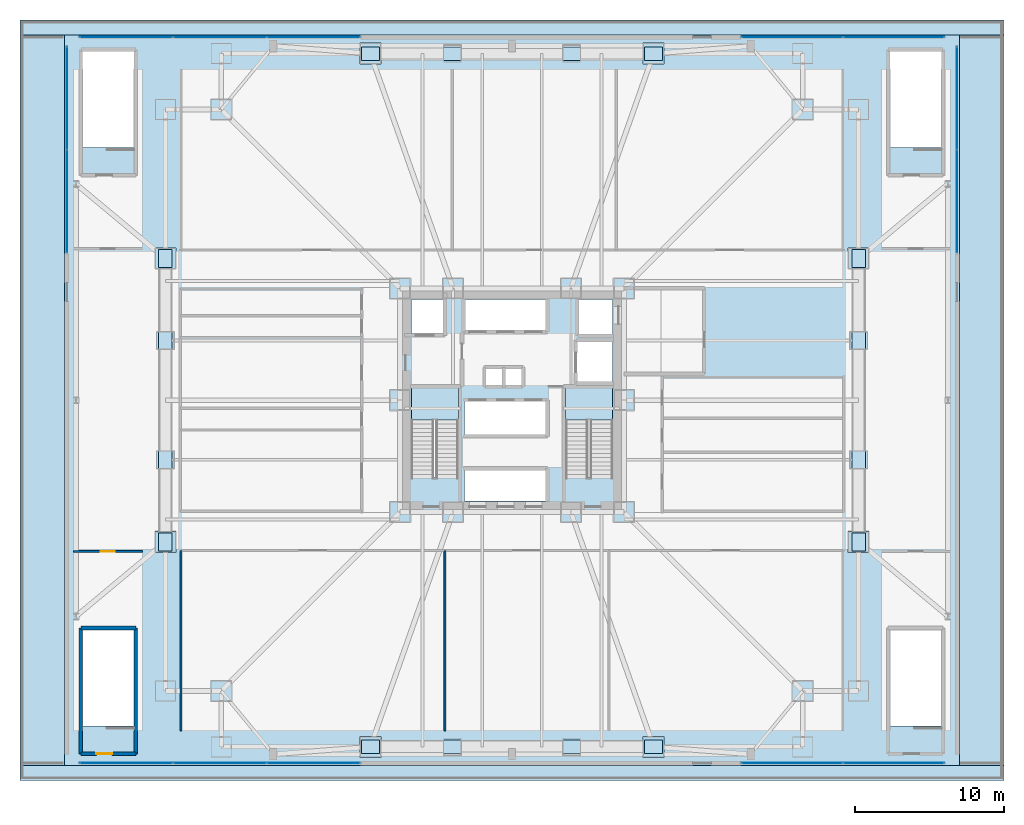
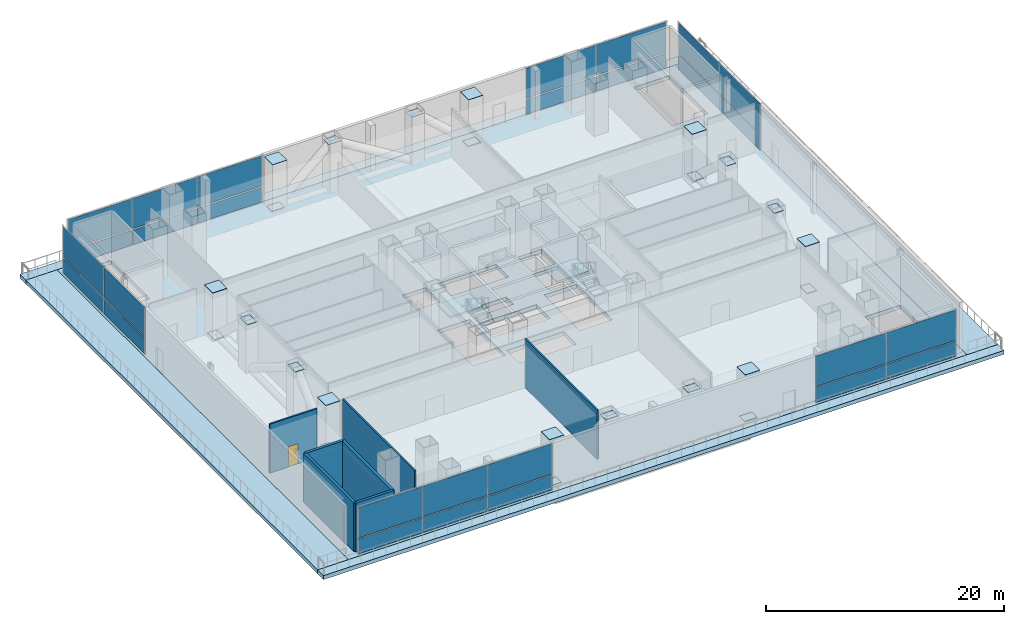
# One storey, part 13 of 21: 52 plates, 7 slabs, 7 walls, 2 doors, 2 openings, 8 elements without a shape of their own.
"""IFC4 building model written with IfcOpenShell, lengths in metres."""

from ifc_helpers import new_model, si_unit, direction, frame, frame_2d, origin, origin_2d, place, context, subcontext, project, spatial, polyline, rectangle, outline, extrude, material, layer, layer_set, type_object, element, fill, aggregate, save


model = new_model("IFC4")

# Units and contexts
model_context = context("Model", 3, precision=1e-05, world=origin(), true_north=direction((0.0, 1.0)))
body_context = subcontext(model_context, "Body", "Model", "MODEL_VIEW")
ifc_project = project(units=[si_unit("LENGTHUNIT", "METRE"), si_unit("AREAUNIT", "SQUARE_METRE"), si_unit("VOLUMEUNIT", "CUBIC_METRE"), si_unit("PLANEANGLEUNIT", "RADIAN"), si_unit("MASSUNIT", "GRAM", prefix="KILO")], contexts=[model_context])

# Site, building, storey
site_placement = place(None, origin())
site = spatial("IfcSite", under=ifc_project, at=site_placement, CompositionType="ELEMENT")
building_placement = place(site_placement, origin())
building = spatial("IfcBuilding", under=site, at=building_placement, Name="Trevonay Congress Spire", CompositionType="ELEMENT")
storey_placement = place(building_placement, frame((0.0, 0.0, 21.60009765625)))
storey = spatial("IfcBuildingStorey", under=building, at=storey_placement, Name="L04", CompositionType="ELEMENT", Elevation=21.60009765625)

# Curtain wall, plates
ifc_material_1 = material(Name="Pale Anodised Aluminium EN AW-6063-T6", Category="aluminium")
ifc_layer_1 = layer(ifc_material_1, 0.179931640625, Name="Pale Anodised Aluminium EN AW-6063-T6")
ifc_layer_set_1 = layer_set([ifc_layer_1], Name="Pale Anodised Aluminium EN AW-6063-T6")
curtain_wall_type = type_object("IfcCurtainWallType", Name="CW-SYS01-PODIUM-PALE-METAL", PredefinedType="NOTDEFINED", material=ifc_layer_set_1)
curtain_wall_1_placement = place(storey_placement, origin())
curtain_wall_1 = element("IfcCurtainWall", 1, at=curtain_wall_1_placement, inside=storey, type_object=curtain_wall_type, Name="L04 W2 podium curtain wall", PredefinedType="NOTDEFINED")
ifc_material_2 = material(Name="Insulated Low-E Vision Glass IGU", Category="glass")
ifc_layer_2 = layer(ifc_material_2, 0.035888671875, Name="Insulated Low-E Vision Glass IGU")
ifc_layer_set_2 = layer_set([ifc_layer_2], Name="Insulated Low-E Vision Glass IGU")
plate_type_1 = type_object("IfcPlateType", Name="CW-PANEL-IGU36-SILVER", PredefinedType="CURTAIN_PANEL", material=ifc_layer_set_2)
plate_1_placement = place(storey_placement, frame((-29.85009765625, 13.340087890625, 0.119873046875), z_axis=(0.0, 0.0, 1.0), x_axis=(0.0, 1.0, 0.0)))
plate_1 = element("IfcPlate", 2, at=plate_1_placement, type_object=plate_type_1, Name="CW01 panel 1.1", PredefinedType="CURTAIN_PANEL", context=body_context, shape_type="SweptSolid", body=[
    extrude(rectangle(XDim=6.860107421875, YDim=0.035888671875, at=origin_2d()), origin(), (0.0, 0.0, 1.0), 1.52001953125),
])
plate_2_placement = place(storey_placement, frame((-29.85009765625, 13.340087890625, 1.759765625), z_axis=(0.0, 0.0, 1.0), x_axis=(0.0, 1.0, 0.0)))
plate_2 = element("IfcPlate", 3, at=plate_2_placement, type_object=plate_type_1, Name="CW01 panel 1.2", PredefinedType="CURTAIN_PANEL", context=body_context, shape_type="SweptSolid", body=[
    extrude(rectangle(XDim=6.860107421875, YDim=0.035888671875, at=origin_2d()), origin(), (0.0, 0.0, 1.0), 3.1201171875),
])
plate_3_placement = place(storey_placement, frame((-29.85009765625, 20.260009765625, 0.119873046875), z_axis=(0.0, 0.0, 1.0), x_axis=(0.0, 1.0, 0.0)))
plate_3 = element("IfcPlate", 4, at=plate_3_placement, type_object=plate_type_1, Name="CW01 panel 2.1", PredefinedType="CURTAIN_PANEL", context=body_context, shape_type="SweptSolid", body=[
    extrude(rectangle(XDim=6.860107421875, YDim=0.035888671875, at=origin_2d()), origin(), (0.0, 0.0, 1.0), 1.52001953125),
])
plate_4_placement = place(storey_placement, frame((-29.85009765625, 20.260009765625, 1.759765625), z_axis=(0.0, 0.0, 1.0), x_axis=(0.0, 1.0, 0.0)))
plate_4 = element("IfcPlate", 5, at=plate_4_placement, type_object=plate_type_1, Name="CW01 panel 2.2", PredefinedType="CURTAIN_PANEL", context=body_context, shape_type="SweptSolid", body=[
    extrude(rectangle(XDim=6.860107421875, YDim=0.035888671875, at=origin_2d()), origin(), (0.0, 0.0, 1.0), 3.1201171875),
])
aggregate(curtain_wall_1, [plate_1, plate_2, plate_3, plate_4])

curtain_wall_2_placement = place(storey_placement, origin())
curtain_wall_2 = element("IfcCurtainWall", 6, at=curtain_wall_2_placement, inside=storey, type_object=curtain_wall_type, Name="L04 E2 podium curtain wall", PredefinedType="NOTDEFINED")
plate_5_placement = place(storey_placement, frame((29.85009765625, 13.340087890625, 0.119873046875), z_axis=(0.0, 0.0, 1.0), x_axis=(0.0, 1.0, 0.0)))
plate_5 = element("IfcPlate", 7, at=plate_5_placement, type_object=plate_type_1, Name="CW01 panel 1.1", PredefinedType="CURTAIN_PANEL", context=body_context, shape_type="SweptSolid", body=[
    extrude(rectangle(XDim=6.860107421875, YDim=0.035888671875, at=origin_2d()), origin(), (0.0, 0.0, 1.0), 1.52001953125),
])
plate_6_placement = place(storey_placement, frame((29.85009765625, 13.340087890625, 1.759765625), z_axis=(0.0, 0.0, 1.0), x_axis=(0.0, 1.0, 0.0)))
plate_6 = element("IfcPlate", 8, at=plate_6_placement, type_object=plate_type_1, Name="CW01 panel 1.2", PredefinedType="CURTAIN_PANEL", context=body_context, shape_type="SweptSolid", body=[
    extrude(rectangle(XDim=6.860107421875, YDim=0.035888671875, at=origin_2d()), origin(), (0.0, 0.0, 1.0), 3.1201171875),
])
plate_7_placement = place(storey_placement, frame((29.85009765625, 20.260009765625, 0.119873046875), z_axis=(0.0, 0.0, 1.0), x_axis=(0.0, 1.0, 0.0)))
plate_7 = element("IfcPlate", 9, at=plate_7_placement, type_object=plate_type_1, Name="CW01 panel 2.1", PredefinedType="CURTAIN_PANEL", context=body_context, shape_type="SweptSolid", body=[
    extrude(rectangle(XDim=6.860107421875, YDim=0.035888671875, at=origin_2d()), origin(), (0.0, 0.0, 1.0), 1.52001953125),
])
plate_8_placement = place(storey_placement, frame((29.85009765625, 20.260009765625, 1.759765625), z_axis=(0.0, 0.0, 1.0), x_axis=(0.0, 1.0, 0.0)))
plate_8 = element("IfcPlate", 10, at=plate_8_placement, type_object=plate_type_1, Name="CW01 panel 2.2", PredefinedType="CURTAIN_PANEL", context=body_context, shape_type="SweptSolid", body=[
    extrude(rectangle(XDim=6.860107421875, YDim=0.035888671875, at=origin_2d()), origin(), (0.0, 0.0, 1.0), 3.1201171875),
])
aggregate(curtain_wall_2, [plate_5, plate_6, plate_7, plate_8])

curtain_wall_3_placement = place(storey_placement, origin())
curtain_wall_3 = element("IfcCurtainWall", 11, at=curtain_wall_3_placement, inside=storey, type_object=curtain_wall_type, Name="L04 S0 podium curtain wall", PredefinedType="NOTDEFINED")
plate_9_placement = place(storey_placement, frame((-25.885009765625, -24.35009765625, 0.119873046875), z_axis=(0.0, 0.0, 1.0), x_axis=(1.0, 0.0, 0.0)))
plate_9 = element("IfcPlate", 12, at=plate_9_placement, type_object=plate_type_1, Name="CW01 panel 1.1", PredefinedType="CURTAIN_PANEL", context=body_context, shape_type="SweptSolid", body=[
    extrude(rectangle(XDim=6.2099609375, YDim=0.035888671875, at=origin_2d()), origin(), (0.0, 0.0, 1.0), 1.52001953125),
])
plate_10_placement = place(storey_placement, frame((-25.885009765625, -24.35009765625, 1.759765625), z_axis=(0.0, 0.0, 1.0), x_axis=(1.0, 0.0, 0.0)))
plate_10 = element("IfcPlate", 13, at=plate_10_placement, type_object=plate_type_1, Name="CW01 panel 1.2", PredefinedType="CURTAIN_PANEL", context=body_context, shape_type="SweptSolid", body=[
    extrude(rectangle(XDim=6.2099609375, YDim=0.035888671875, at=origin_2d()), origin(), (0.0, 0.0, 1.0), 3.1201171875),
])
plate_11_placement = place(storey_placement, frame((-19.60009765625, -24.35009765625, 0.119873046875), z_axis=(0.0, 0.0, 1.0), x_axis=(1.0, 0.0, 0.0)))
plate_11 = element("IfcPlate", 14, at=plate_11_placement, type_object=plate_type_1, Name="CW01 panel 2.1", PredefinedType="CURTAIN_PANEL", context=body_context, shape_type="SweptSolid", body=[
    extrude(rectangle(XDim=6.239990234375, YDim=0.035888671875, at=origin_2d()), origin(), (0.0, 0.0, 1.0), 1.52001953125),
])
plate_12_placement = place(storey_placement, frame((-19.60009765625, -24.35009765625, 1.759765625), z_axis=(0.0, 0.0, 1.0), x_axis=(1.0, 0.0, 0.0)))
plate_12 = element("IfcPlate", 15, at=plate_12_placement, type_object=plate_type_1, Name="CW01 panel 2.2", PredefinedType="CURTAIN_PANEL", context=body_context, shape_type="SweptSolid", body=[
    extrude(rectangle(XDim=6.239990234375, YDim=0.035888671875, at=origin_2d()), origin(), (0.0, 0.0, 1.0), 3.1201171875),
])
plate_13_placement = place(storey_placement, frame((-13.31494140625, -24.35009765625, 0.119873046875), z_axis=(0.0, 0.0, 1.0), x_axis=(1.0, 0.0, 0.0)))
plate_13 = element("IfcPlate", 16, at=plate_13_placement, type_object=plate_type_1, Name="CW01 panel 3.1", PredefinedType="CURTAIN_PANEL", context=body_context, shape_type="SweptSolid", body=[
    extrude(rectangle(XDim=6.2099609375, YDim=0.035888671875, at=origin_2d()), origin(), (0.0, 0.0, 1.0), 1.52001953125),
])
plate_14_placement = place(storey_placement, frame((-13.31494140625, -24.35009765625, 1.759765625), z_axis=(0.0, 0.0, 1.0), x_axis=(1.0, 0.0, 0.0)))
plate_14 = element("IfcPlate", 17, at=plate_14_placement, type_object=plate_type_1, Name="CW01 panel 3.2", PredefinedType="CURTAIN_PANEL", context=body_context, shape_type="SweptSolid", body=[
    extrude(rectangle(XDim=6.2099609375, YDim=0.035888671875, at=origin_2d()), origin(), (0.0, 0.0, 1.0), 3.1201171875),
])
aggregate(curtain_wall_3, [plate_9, plate_10, plate_11, plate_12, plate_13, plate_14])

curtain_wall_4_placement = place(storey_placement, origin())
curtain_wall_4 = element("IfcCurtainWall", 18, at=curtain_wall_4_placement, inside=storey, type_object=curtain_wall_type, Name="L04 S2 podium curtain wall", PredefinedType="NOTDEFINED")
plate_15_placement = place(storey_placement, frame((18.7900390625, -24.35009765625, 0.119873046875), z_axis=(0.0, 0.0, 1.0), x_axis=(1.0, 0.0, 0.0)))
plate_15 = element("IfcPlate", 19, at=plate_15_placement, type_object=plate_type_1, Name="CW01 panel 1.1", PredefinedType="CURTAIN_PANEL", context=body_context, shape_type="SweptSolid", body=[
    extrude(rectangle(XDim=6.760009765625, YDim=0.035888671875, at=origin_2d()), origin(), (0.0, 0.0, 1.0), 1.52001953125),
])
plate_16_placement = place(storey_placement, frame((18.7900390625, -24.35009765625, 1.759765625), z_axis=(0.0, 0.0, 1.0), x_axis=(1.0, 0.0, 0.0)))
plate_16 = element("IfcPlate", 20, at=plate_16_placement, type_object=plate_type_1, Name="CW01 panel 1.2", PredefinedType="CURTAIN_PANEL", context=body_context, shape_type="SweptSolid", body=[
    extrude(rectangle(XDim=6.760009765625, YDim=0.035888671875, at=origin_2d()), origin(), (0.0, 0.0, 1.0), 3.1201171875),
])
plate_17_placement = place(storey_placement, frame((25.610107421875, -24.35009765625, 0.119873046875), z_axis=(0.0, 0.0, 1.0), x_axis=(1.0, 0.0, 0.0)))
plate_17 = element("IfcPlate", 21, at=plate_17_placement, type_object=plate_type_1, Name="CW01 panel 2.1", PredefinedType="CURTAIN_PANEL", context=body_context, shape_type="SweptSolid", body=[
    extrude(rectangle(XDim=6.760009765625, YDim=0.035888671875, at=origin_2d()), origin(), (0.0, 0.0, 1.0), 1.52001953125),
])
plate_18_placement = place(storey_placement, frame((25.610107421875, -24.35009765625, 1.759765625), z_axis=(0.0, 0.0, 1.0), x_axis=(1.0, 0.0, 0.0)))
plate_18 = element("IfcPlate", 22, at=plate_18_placement, type_object=plate_type_1, Name="CW01 panel 2.2", PredefinedType="CURTAIN_PANEL", context=body_context, shape_type="SweptSolid", body=[
    extrude(rectangle(XDim=6.760009765625, YDim=0.035888671875, at=origin_2d()), origin(), (0.0, 0.0, 1.0), 3.1201171875),
])
aggregate(curtain_wall_4, [plate_15, plate_16, plate_17, plate_18])

curtain_wall_5_placement = place(storey_placement, origin())
curtain_wall_5 = element("IfcCurtainWall", 23, at=curtain_wall_5_placement, inside=storey, type_object=curtain_wall_type, Name="L04 N0 podium curtain wall", PredefinedType="NOTDEFINED")
plate_19_placement = place(storey_placement, frame((-25.885009765625, 24.35009765625, 0.119873046875), z_axis=(0.0, 0.0, 1.0), x_axis=(1.0, 0.0, 0.0)))
plate_19 = element("IfcPlate", 24, at=plate_19_placement, type_object=plate_type_1, Name="CW01 panel 1.1", PredefinedType="CURTAIN_PANEL", context=body_context, shape_type="SweptSolid", body=[
    extrude(rectangle(XDim=6.2099609375, YDim=0.035888671875, at=origin_2d()), origin(), (0.0, 0.0, 1.0), 1.52001953125),
])
plate_20_placement = place(storey_placement, frame((-25.885009765625, 24.35009765625, 1.759765625), z_axis=(0.0, 0.0, 1.0), x_axis=(1.0, 0.0, 0.0)))
plate_20 = element("IfcPlate", 25, at=plate_20_placement, type_object=plate_type_1, Name="CW01 panel 1.2", PredefinedType="CURTAIN_PANEL", context=body_context, shape_type="SweptSolid", body=[
    extrude(rectangle(XDim=6.2099609375, YDim=0.035888671875, at=origin_2d()), origin(), (0.0, 0.0, 1.0), 3.1201171875),
])
plate_21_placement = place(storey_placement, frame((-19.60009765625, 24.35009765625, 0.119873046875), z_axis=(0.0, 0.0, 1.0), x_axis=(1.0, 0.0, 0.0)))
plate_21 = element("IfcPlate", 26, at=plate_21_placement, type_object=plate_type_1, Name="CW01 panel 2.1", PredefinedType="CURTAIN_PANEL", context=body_context, shape_type="SweptSolid", body=[
    extrude(rectangle(XDim=6.239990234375, YDim=0.035888671875, at=origin_2d()), origin(), (0.0, 0.0, 1.0), 1.52001953125),
])
plate_22_placement = place(storey_placement, frame((-19.60009765625, 24.35009765625, 1.759765625), z_axis=(0.0, 0.0, 1.0), x_axis=(1.0, 0.0, 0.0)))
plate_22 = element("IfcPlate", 27, at=plate_22_placement, type_object=plate_type_1, Name="CW01 panel 2.2", PredefinedType="CURTAIN_PANEL", context=body_context, shape_type="SweptSolid", body=[
    extrude(rectangle(XDim=6.239990234375, YDim=0.035888671875, at=origin_2d()), origin(), (0.0, 0.0, 1.0), 3.1201171875),
])
plate_23_placement = place(storey_placement, frame((-13.31494140625, 24.35009765625, 0.119873046875), z_axis=(0.0, 0.0, 1.0), x_axis=(1.0, 0.0, 0.0)))
plate_23 = element("IfcPlate", 28, at=plate_23_placement, type_object=plate_type_1, Name="CW01 panel 3.1", PredefinedType="CURTAIN_PANEL", context=body_context, shape_type="SweptSolid", body=[
    extrude(rectangle(XDim=6.2099609375, YDim=0.035888671875, at=origin_2d()), origin(), (0.0, 0.0, 1.0), 1.52001953125),
])
plate_24_placement = place(storey_placement, frame((-13.31494140625, 24.35009765625, 1.759765625), z_axis=(0.0, 0.0, 1.0), x_axis=(1.0, 0.0, 0.0)))
plate_24 = element("IfcPlate", 29, at=plate_24_placement, type_object=plate_type_1, Name="CW01 panel 3.2", PredefinedType="CURTAIN_PANEL", context=body_context, shape_type="SweptSolid", body=[
    extrude(rectangle(XDim=6.2099609375, YDim=0.035888671875, at=origin_2d()), origin(), (0.0, 0.0, 1.0), 3.1201171875),
])
aggregate(curtain_wall_5, [plate_19, plate_20, plate_21, plate_22, plate_23, plate_24])

curtain_wall_6_placement = place(storey_placement, origin())
curtain_wall_6 = element("IfcCurtainWall", 30, at=curtain_wall_6_placement, inside=storey, type_object=curtain_wall_type, Name="L04 N2 podium curtain wall", PredefinedType="NOTDEFINED")
plate_25_placement = place(storey_placement, frame((18.7900390625, 24.35009765625, 0.119873046875), z_axis=(0.0, 0.0, 1.0), x_axis=(1.0, 0.0, 0.0)))
plate_25 = element("IfcPlate", 31, at=plate_25_placement, type_object=plate_type_1, Name="CW01 panel 1.1", PredefinedType="CURTAIN_PANEL", context=body_context, shape_type="SweptSolid", body=[
    extrude(rectangle(XDim=6.760009765625, YDim=0.035888671875, at=origin_2d()), origin(), (0.0, 0.0, 1.0), 1.52001953125),
])
plate_26_placement = place(storey_placement, frame((18.7900390625, 24.35009765625, 1.759765625), z_axis=(0.0, 0.0, 1.0), x_axis=(1.0, 0.0, 0.0)))
plate_26 = element("IfcPlate", 32, at=plate_26_placement, type_object=plate_type_1, Name="CW01 panel 1.2", PredefinedType="CURTAIN_PANEL", context=body_context, shape_type="SweptSolid", body=[
    extrude(rectangle(XDim=6.760009765625, YDim=0.035888671875, at=origin_2d()), origin(), (0.0, 0.0, 1.0), 3.1201171875),
])
plate_27_placement = place(storey_placement, frame((25.610107421875, 24.35009765625, 0.119873046875), z_axis=(0.0, 0.0, 1.0), x_axis=(1.0, 0.0, 0.0)))
plate_27 = element("IfcPlate", 33, at=plate_27_placement, type_object=plate_type_1, Name="CW01 panel 2.1", PredefinedType="CURTAIN_PANEL", context=body_context, shape_type="SweptSolid", body=[
    extrude(rectangle(XDim=6.760009765625, YDim=0.035888671875, at=origin_2d()), origin(), (0.0, 0.0, 1.0), 1.52001953125),
])
plate_28_placement = place(storey_placement, frame((25.610107421875, 24.35009765625, 1.759765625), z_axis=(0.0, 0.0, 1.0), x_axis=(1.0, 0.0, 0.0)))
plate_28 = element("IfcPlate", 34, at=plate_28_placement, type_object=plate_type_1, Name="CW01 panel 2.2", PredefinedType="CURTAIN_PANEL", context=body_context, shape_type="SweptSolid", body=[
    extrude(rectangle(XDim=6.760009765625, YDim=0.035888671875, at=origin_2d()), origin(), (0.0, 0.0, 1.0), 3.1201171875),
])
aggregate(curtain_wall_6, [plate_25, plate_26, plate_27, plate_28])

# Plates
ifc_material_3 = material(Name="Steel ASTM A572 Grade 50", Category="steel")
ifc_layer_3 = layer(ifc_material_3, 0.0400390625, Name="Steel ASTM A572 Grade 50")
ifc_layer_set_3 = layer_set([ifc_layer_3], Name="Steel ASTM A572 Grade 50")
plate_type_2 = type_object("IfcPlateType", Name="PLT-ENDCAP-INT-140", PredefinedType="USERDEFINED", material=ifc_layer_set_3)
for number, where, z_axis, x_axis, name in (
    (35, (-9.5, -23.25, 4.97998046875), (0.0, 0.0, 1.0), (1.0, 0.0, 0.0), "L04 hollow column end-cap plate at TM-S2"),
    (36, (9.5, -23.25, 4.97998046875), (0.0, 0.0, 1.0), (1.0, 0.0, 0.0), "L04 hollow column end-cap plate at TM-S5"),
    (37, (-9.5, 23.25, 4.97998046875), (0.0, 0.0, 1.0), (1.0, 0.0, 0.0), "L04 hollow column end-cap plate at TM-N2"),
    (38, (9.5, 23.25, 4.97998046875), (0.0, 0.0, 1.0), (1.0, 0.0, 0.0), "L04 hollow column end-cap plate at TM-N5"),
    (39, (-23.25, -9.5, 4.97998046875), (0.0, 0.0, 1.0), (1.0, 0.0, 0.0), "L04 hollow column end-cap plate at TM-W2"),
    (40, (-23.25, 9.5, 4.97998046875), (0.0, 0.0, 1.0), (1.0, 0.0, 0.0), "L04 hollow column end-cap plate at TM-W5"),
    (41, (23.25, -9.5, 4.97998046875), (0.0, 0.0, 1.0), (1.0, 0.0, 0.0), "L04 hollow column end-cap plate at TM-E2"),
    (42, (23.25, 9.5, 4.97998046875), (0.0, 0.0, 1.0), (1.0, 0.0, 0.0), "L04 hollow column end-cap plate at TM-E5"),
):
    element("IfcPlate", number, at=place(storey_placement, frame(where, z_axis=z_axis, x_axis=x_axis)), inside=storey, type_object=plate_type_2, Name=name, ObjectType="CAP_PLATE", PredefinedType="USERDEFINED", context=body_context, shape_type="SweptSolid", body=[
        extrude(rectangle(XDim=1.39990234375, YDim=1.39990234375, at=origin_2d()), origin(), (0.0, 0.0, 1.0), 0.0400390625),
    ])
ifc_layer_4 = layer(ifc_material_3, 0.044921875, Name="Steel ASTM A572 Grade 50")
ifc_layer_set_4 = layer_set([ifc_layer_4], Name="Steel ASTM A572 Grade 50")
plate_type_3 = type_object("IfcPlateType", Name="PLT-GUSSET-INT-45", PredefinedType="USERDEFINED", material=ifc_layer_set_4)
for number, where, z_axis, x_axis, name in (
    (43, (-4.0, -23.25, 4.927490234375), (0.0, 0.0, 1.0), (1.0, 0.0, 0.0), "Transfer truss top-chord bearing gusset TN-01 (S)"),
    (44, (4.0, -23.25, 4.927490234375), (0.0, 0.0, 1.0), (1.0, 0.0, 0.0), "Transfer truss top-chord bearing gusset TN-01 (S)"),
    (45, (-9.5, -23.25, 0.02734375), (0.0, 0.0, 1.0), (1.0, 0.0, 0.0), "Transfer truss bottom-chord mega-column gusset TN-02 (S)"),
    (46, (9.5, -23.25, 0.02734375), (0.0, 0.0, 1.0), (1.0, 0.0, 0.0), "Transfer truss bottom-chord mega-column gusset TN-02 (S)"),
    (47, (-4.0, 23.25, 4.927490234375), (0.0, 0.0, 1.0), (1.0, 0.0, 0.0), "Transfer truss top-chord bearing gusset TN-01 (N)"),
    (48, (4.0, 23.25, 4.927490234375), (0.0, 0.0, 1.0), (1.0, 0.0, 0.0), "Transfer truss top-chord bearing gusset TN-01 (N)"),
    (49, (-9.5, 23.25, 0.02734375), (0.0, 0.0, 1.0), (1.0, 0.0, 0.0), "Transfer truss bottom-chord mega-column gusset TN-02 (N)"),
    (50, (9.5, 23.25, 0.02734375), (0.0, 0.0, 1.0), (1.0, 0.0, 0.0), "Transfer truss bottom-chord mega-column gusset TN-02 (N)"),
    (51, (-23.25, -4.0, 4.927490234375), (0.0, 0.0, 1.0), (0.0, 1.0, 0.0), "Transfer truss top-chord bearing gusset TN-01 (W)"),
    (52, (-23.25, 4.0, 4.927490234375), (0.0, 0.0, 1.0), (0.0, 1.0, 0.0), "Transfer truss top-chord bearing gusset TN-01 (W)"),
    (53, (-23.25, -9.5, 0.02734375), (0.0, 0.0, 1.0), (0.0, 1.0, 0.0), "Transfer truss bottom-chord mega-column gusset TN-02 (W)"),
    (54, (-23.25, 9.5, 0.02734375), (0.0, 0.0, 1.0), (0.0, 1.0, 0.0), "Transfer truss bottom-chord mega-column gusset TN-02 (W)"),
    (55, (23.25, -4.0, 4.927490234375), (0.0, 0.0, 1.0), (0.0, 1.0, 0.0), "Transfer truss top-chord bearing gusset TN-01 (E)"),
    (56, (23.25, 4.0, 4.927490234375), (0.0, 0.0, 1.0), (0.0, 1.0, 0.0), "Transfer truss top-chord bearing gusset TN-01 (E)"),
    (57, (23.25, -9.5, 0.02734375), (0.0, 0.0, 1.0), (0.0, 1.0, 0.0), "Transfer truss bottom-chord mega-column gusset TN-02 (E)"),
    (58, (23.25, 9.5, 0.02734375), (0.0, 0.0, 1.0), (0.0, 1.0, 0.0), "Transfer truss bottom-chord mega-column gusset TN-02 (E)"),
):
    element("IfcPlate", number, at=place(storey_placement, frame(where, z_axis=z_axis, x_axis=x_axis)), inside=storey, type_object=plate_type_3, Name=name, ObjectType="GUSSET_PLATE", PredefinedType="USERDEFINED", context=body_context, shape_type="SweptSolid", body=[
        extrude(rectangle(XDim=1.199951171875, YDim=0.89990234375, at=origin_2d()), origin(), (0.0, 0.0, 1.0), 0.044921875),
    ])

# Stair, slab
ifc_material_4 = material(Name="Concrete C40/50", Category="concrete")
stair_type_1 = type_object("IfcStairType", Name="STR-ST-1", PredefinedType="HALF_TURN_STAIR", material=ifc_material_4)
stair_1_placement = place(storey_placement, origin())
stair_1 = element("IfcStair", 59, at=stair_1_placement, inside=storey, type_object=stair_type_1, Name="L04 Protected Exit Stair ST-1", PredefinedType="HALF_TURN_STAIR")
ifc_layer_5 = layer(ifc_material_4, 0.199951171875, Name="Concrete C40/50")
ifc_layer_set_5 = layer_set([ifc_layer_5], Name="Concrete C40/50")
slab_type_1 = type_object("IfcSlabType", Name="SLB-STAIR-LAND-200", PredefinedType="LANDING", material=ifc_layer_set_5)
slab_1_placement = place(storey_placement, frame((0.0, 0.0, 2.5)))
slab_1 = element("IfcSlab", 60, at=slab_1_placement, type_object=slab_type_1, Name="ST-1 landing 1", PredefinedType="LANDING", context=body_context, shape_type="SweptSolid", body=[
    extrude(outline(polyline([(-3.60009765625, -1.330078125), (-3.60009765625, 0.85009765625), (-6.75, 0.85009765625), (-6.75, -1.330078125), (-3.60009765625, -1.330078125)])), origin(), (0.0, 0.0, 1.0), 0.199951171875),
])
aggregate(stair_1, [slab_1])

stair_type_2 = type_object("IfcStairType", Name="STR-ST-2", PredefinedType="HALF_TURN_STAIR", material=ifc_material_4)
stair_2_placement = place(storey_placement, origin())
stair_2 = element("IfcStair", 61, at=stair_2_placement, inside=storey, type_object=stair_type_2, Name="L04 Protected Exit Stair ST-2", PredefinedType="HALF_TURN_STAIR")
slab_2_placement = place(storey_placement, frame((0.0, 0.0, 2.5)))
slab_2 = element("IfcSlab", 62, at=slab_2_placement, type_object=slab_type_1, Name="ST-2 landing 1", PredefinedType="LANDING", context=body_context, shape_type="SweptSolid", body=[
    extrude(outline(polyline([(6.75, -1.330078125), (6.75, 0.85009765625), (3.60009765625, 0.85009765625), (3.60009765625, -1.330078125), (6.75, -1.330078125)])), origin(), (0.0, 0.0, 1.0), 0.199951171875),
])
aggregate(stair_2, [slab_2])

# Slabs
ifc_layer_6 = layer(ifc_material_4, 0.39990234375, Name="Concrete C40/50")
ifc_layer_set_6 = layer_set([ifc_layer_6], Name="Concrete C40/50")
slab_type_2 = type_object("IfcSlabType", Name="SLB-TERR-260", PredefinedType="ROOF", material=ifc_layer_set_6)
slab_3_placement = place(storey_placement, frame((0.0, 0.0, -0.400146484375)))
element("IfcSlab", 63, at=slab_3_placement, inside=storey, type_object=slab_type_2, Name="L04 West stepped podium roof terrace", PredefinedType="ROOF", context=body_context, shape_type="SweptSolid", body=[
    extrude(outline(polyline([(-33.0, -24.5), (-30.0, -24.5), (-30.0, 24.5), (-33.0, 24.5), (-33.0, -24.5)])), origin(), (0.0, 0.0, 1.0), 0.400146484375),
])
slab_4_placement = place(storey_placement, frame((0.0, 0.0, -0.400146484375)))
element("IfcSlab", 64, at=slab_4_placement, inside=storey, type_object=slab_type_2, Name="L04 East stepped podium roof terrace", PredefinedType="ROOF", context=body_context, shape_type="SweptSolid", body=[
    extrude(outline(polyline([(30.0, -24.5), (33.0, -24.5), (33.0, 24.5), (30.0, 24.5), (30.0, -24.5)])), origin(), (0.0, 0.0, 1.0), 0.400146484375),
])
slab_5_placement = place(storey_placement, frame((0.0, 0.0, -0.400146484375)))
element("IfcSlab", 65, at=slab_5_placement, inside=storey, type_object=slab_type_2, Name="L04 South stepped podium roof terrace", PredefinedType="ROOF", context=body_context, shape_type="SweptSolid", body=[
    extrude(outline(polyline([(-33.0, -25.5), (33.0, -25.5), (33.0, -24.5), (-33.0, -24.5), (-33.0, -25.5)])), origin(), (0.0, 0.0, 1.0), 0.400146484375),
])
slab_6_placement = place(storey_placement, frame((0.0, 0.0, -0.400146484375)))
element("IfcSlab", 66, at=slab_6_placement, inside=storey, type_object=slab_type_2, Name="L04 North stepped podium roof terrace", PredefinedType="ROOF", context=body_context, shape_type="SweptSolid", body=[
    extrude(outline(polyline([(-33.0, 24.5), (33.0, 24.5), (33.0, 25.5), (-33.0, 25.5), (-33.0, 24.5)])), origin(), (0.0, 0.0, 1.0), 0.400146484375),
])
ifc_layer_7 = layer(ifc_material_4, 0.39990234375, Name="Concrete C40/50")
ifc_layer_set_7 = layer_set([ifc_layer_7], Name="Concrete C40/50")
slab_type_3 = type_object("IfcSlabType", Name="SLB-XFER-400", PredefinedType="FLOOR", material=ifc_layer_set_7)
slab_7_placement = place(storey_placement, frame((0.0, 0.0, -0.400146484375)))
element("IfcSlab", 67, at=slab_7_placement, inside=storey, type_object=slab_type_3, Name="L04 structural floor slab", PredefinedType="FLOOR", context=body_context, shape_type="SweptSolid", body=[
    extrude(outline(polyline([(-30.0, -24.5), (30.0, -24.5), (30.0, 24.5), (-30.0, 24.5), (-30.0, -24.5)]), holes=[polyline([(-3.60009765625, -5.14990234375), (-3.60009765625, 0.85009765625), (-6.75, 0.85009765625), (-6.75, -5.14990234375), (-3.60009765625, -5.14990234375)]), polyline([(6.75, -5.14990234375), (6.75, 0.85009765625), (3.60009765625, 0.85009765625), (3.60009765625, -5.14990234375), (6.75, -5.14990234375)]), polyline([(-25.35009765625, -21.85009765625), (-25.35009765625, -15.39990234375), (-28.800048828125, -15.39990234375), (-28.800048828125, -21.85009765625), (-25.35009765625, -21.85009765625)]), polyline([(28.800048828125, -21.85009765625), (28.800048828125, -15.39990234375), (25.35009765625, -15.39990234375), (25.35009765625, -21.85009765625), (28.800048828125, -21.85009765625)]), polyline([(-25.35009765625, 16.949951171875), (-25.35009765625, 23.39990234375), (-28.800048828125, 23.39990234375), (-28.800048828125, 16.949951171875), (-25.35009765625, 16.949951171875)]), polyline([(28.800048828125, 16.949951171875), (28.800048828125, 23.39990234375), (25.35009765625, 23.39990234375), (25.35009765625, 16.949951171875), (28.800048828125, 16.949951171875)]), polyline([(-3.199951171875, -6.75), (2.340087890625, -6.75), (2.340087890625, -4.64990234375), (-3.199951171875, -4.64990234375), (-3.199951171875, -6.75)]), polyline([(-3.199951171875, -2.35009765625), (2.340087890625, -2.35009765625), (2.340087890625, -0.050048828125), (-3.199951171875, -0.050048828125), (-3.199951171875, -2.35009765625)]), polyline([(-3.199951171875, 4.64990234375), (2.340087890625, 4.64990234375), (2.340087890625, 6.75), (-3.199951171875, 6.75), (-3.199951171875, 4.64990234375)]), polyline([(-6.75, 4.35009765625), (-4.449951171875, 4.35009765625), (-4.449951171875, 6.75), (-6.75, 6.75), (-6.75, 4.35009765625)]), polyline([(4.449951171875, 4.35009765625), (6.75, 4.35009765625), (6.75, 6.75), (4.449951171875, 6.75), (4.449951171875, 4.35009765625)]), polyline([(4.35009765625, 1.199951171875), (6.75, 1.199951171875), (6.75, 3.949951171875), (4.35009765625, 3.949951171875), (4.35009765625, 1.199951171875)]), polyline([(-1.800048828125, 0.949951171875), (0.699951171875, 0.949951171875), (0.699951171875, 2.14990234375), (-1.800048828125, 2.14990234375), (-1.800048828125, 0.949951171875)])]), origin(), (0.0, 0.0, 1.0), 0.400146484375),
])

# Wall, opening, door
ifc_layer_8 = layer(ifc_material_4, 0.14990234375, Name="Concrete C40/50")
ifc_layer_set_8 = layer_set([ifc_layer_8], Name="Concrete C40/50")
wall_type_1 = type_object("IfcWallType", Name="WAL-CORR-150", PredefinedType="PARTITIONING", material=ifc_layer_set_8)
wall_1_placement = place(storey_placement, frame((-29.39990234375, -10.14990234375, 0.0), z_axis=(0.0, 0.0, 1.0), x_axis=(1.0, 0.0, 0.0)))
wall_1 = element("IfcWall", 68, at=wall_1_placement, inside=storey, type_object=wall_type_1, Name="L04 interior wall WL04-OW1", PredefinedType="PARTITIONING", context=body_context, shape_type="SweptSolid", body=[
    extrude(rectangle(XDim=4.599853515625, YDim=0.14990234375, at=frame_2d((2.2998046875, 0.0))), origin(), (0.0, 0.0, 1.0), 5.0),
])
opening_1_placement = place(wall_1_placement, frame((1.800048828125, 0.0, 0.0)))
opening_1 = element("IfcOpeningElement", 69, at=opening_1_placement, cuts=wall_1, Name="Opening D07", PredefinedType="OPENING", context=body_context, shape_type="SweptSolid", body=[
    extrude(rectangle(XDim=0.949951171875, YDim=2.06005859375, at=frame_2d((0.47509765625, 1.030029296875))), frame((0.0, 0.0849609375, 0.0), z_axis=(0.0, -1.0, 0.0), x_axis=(1.0, 0.0, 0.0)), (0.0, 0.0, 1.0), 0.169921875),
])
door_type_1 = type_object("IfcDoorType", Name="DOR-OFFICE-95", OperationType="NOTDEFINED", PredefinedType="DOOR", material=ifc_material_1)
door_1_placement = place(opening_1_placement, origin())
door_1 = element("IfcDoor", 70, at=door_1_placement, inside=storey, type_object=door_type_1, Name="L04 West Terrace Seminar Suite 1 Door", OperationType="SINGLE_SWING_RIGHT", OverallHeight=2.06005859375, OverallWidth=0.949951171875, PredefinedType="DOOR", context=body_context, shape_type="SweptSolid", body=[
    extrude(rectangle(XDim=0.949951171875, YDim=2.06005859375, at=frame_2d((0.47509765625, 1.030029296875))), frame((0.0, 0.02490234375, 0.0), z_axis=(0.0, -1.0, 0.0), x_axis=(1.0, 0.0, 0.0)), (0.0, 0.0, 1.0), 0.050048828125),
])
fill(opening_1, door_1)

# Walls
ifc_layer_9 = layer(ifc_material_4, 0.14990234375, Name="Concrete C40/50")
ifc_layer_set_9 = layer_set([ifc_layer_9], Name="Concrete C40/50")
wall_type_2 = type_object("IfcWallType", Name="WAL-PART-150", PredefinedType="PARTITIONING", material=ifc_layer_set_9)
for number, where, z_axis, x_axis, name in (
    (71, (-22.199951171875, -22.199951171875, 0.0), (0.0, 0.0, 1.0), (0.0, 1.0, 0.0), "L04 interior wall WP-L04S-DIV1"),
    (72, (-4.5, -22.199951171875, 0.0), (0.0, 0.0, 1.0), (0.0, 1.0, 0.0), "L04 interior wall WP-L04S-DIV2"),
):
    element("IfcWall", number, at=place(storey_placement, frame(where, z_axis=z_axis, x_axis=x_axis)), inside=storey, type_object=wall_type_2, Name=name, PredefinedType="PARTITIONING", context=body_context, shape_type="SweptSolid", body=[
        extrude(rectangle(XDim=12.119873046875, YDim=0.14990234375, at=frame_2d((6.06005859375, 0.0))), origin(), (0.0, 0.0, 1.0), 5.0),
    ])

# Wall, opening, door
ifc_layer_10 = layer(ifc_material_4, 0.25, Name="Concrete C40/50")
ifc_layer_set_10 = layer_set([ifc_layer_10], Name="Concrete C40/50")
wall_type_3 = type_object("IfcWallType", Name="WAL-SHAFT-LB-250", PredefinedType="SHEAR", material=ifc_layer_set_10)
wall_2_placement = place(storey_placement, frame((-28.919921875, -23.719970703125, 0.0), z_axis=(0.0, 0.0, 1.0), x_axis=(1.0, 0.0, 0.0)))
wall_2 = element("IfcWall", 73, at=wall_2_placement, inside=storey, type_object=wall_type_3, Name="L04 interior shaft wall WSH-L04-ST-3-S", PredefinedType="SHEAR", context=body_context, shape_type="SweptSolid", body=[
    extrude(rectangle(XDim=3.68994140625, YDim=0.25, at=frame_2d((1.844970703125, 0.0))), origin(), (0.0, 0.0, 1.0), 5.0),
])
opening_2_placement = place(wall_2_placement, frame((1.050048828125, 0.0, 0.0)))
opening_2 = element("IfcOpeningElement", 74, at=opening_2_placement, cuts=wall_2, Name="Opening D05", PredefinedType="OPENING", context=body_context, shape_type="SweptSolid", body=[
    extrude(rectangle(XDim=1.050048828125, YDim=2.080078125, at=frame_2d((0.52490234375, 1.0400390625))), frame((0.0, 0.135009765625, 0.0), z_axis=(0.0, -1.0, 0.0), x_axis=(1.0, 0.0, 0.0)), (0.0, 0.0, 1.0), 0.27001953125),
])
door_type_2 = type_object("IfcDoorType", Name="DOR-STAIR-110", OperationType="NOTDEFINED", PredefinedType="DOOR", material=ifc_material_3)
door_2_placement = place(opening_2_placement, origin())
door_2 = element("IfcDoor", 75, at=door_2_placement, inside=storey, type_object=door_type_2, Name="L04 Escape Stair ST-3 Door", OperationType="SINGLE_SWING_RIGHT", OverallHeight=2.080078125, OverallWidth=1.050048828125, PredefinedType="DOOR", context=body_context, shape_type="SweptSolid", body=[
    extrude(rectangle(XDim=1.050048828125, YDim=2.080078125, at=frame_2d((0.52490234375, 1.0400390625))), frame((0.0, 0.02490234375, 0.0), z_axis=(0.0, -1.0, 0.0), x_axis=(1.0, 0.0, 0.0)), (0.0, 0.0, 1.0), 0.050048828125),
])
fill(opening_2, door_2)

# Walls
wall_3_placement = place(storey_placement, frame((-28.919921875, -15.280029296875, 0.0), z_axis=(0.0, 0.0, 1.0), x_axis=(1.0, 0.0, 0.0)))
element("IfcWall", 76, at=wall_3_placement, inside=storey, type_object=wall_type_3, Name="L04 interior shaft wall WSH-L04-ST-3-N", PredefinedType="SHEAR", context=body_context, shape_type="SweptSolid", body=[
    extrude(rectangle(XDim=3.68994140625, YDim=0.25, at=frame_2d((1.844970703125, 0.0))), origin(), (0.0, 0.0, 1.0), 5.0),
])
for number, where, z_axis, x_axis, name in (
    (77, (-28.919921875, -23.719970703125, 0.0), (0.0, 0.0, 1.0), (0.0, 1.0, 0.0), "L04 interior shaft wall WSH-L04-ST-3-W"),
    (78, (-25.22998046875, -23.719970703125, 0.0), (0.0, 0.0, 1.0), (0.0, 1.0, 0.0), "L04 interior shaft wall WSH-L04-ST-3-E"),
):
    element("IfcWall", number, at=place(storey_placement, frame(where, z_axis=z_axis, x_axis=x_axis)), inside=storey, type_object=wall_type_3, Name=name, PredefinedType="SHEAR", context=body_context, shape_type="SweptSolid", body=[
        extrude(rectangle(XDim=8.43994140625, YDim=0.25, at=frame_2d((4.219970703125, 0.0))), origin(), (0.0, 0.0, 1.0), 5.0),
    ])

save(model, "model.ifc")
